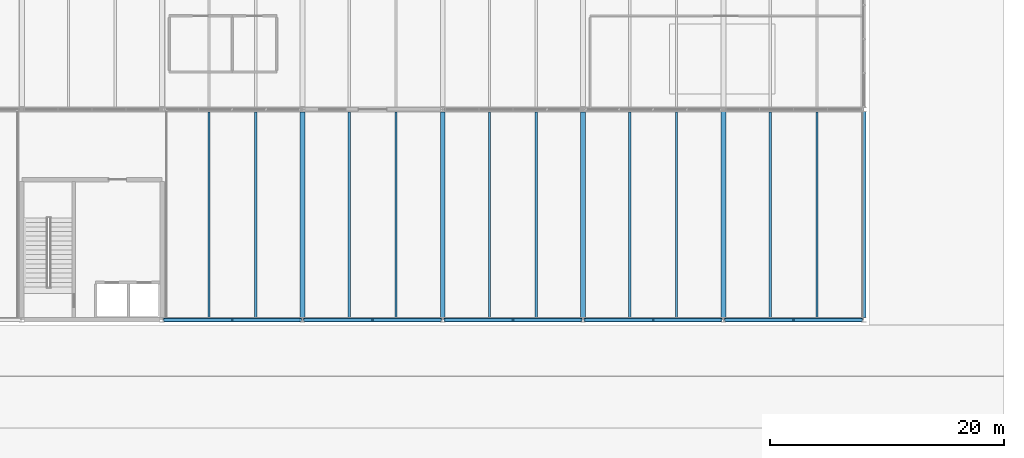
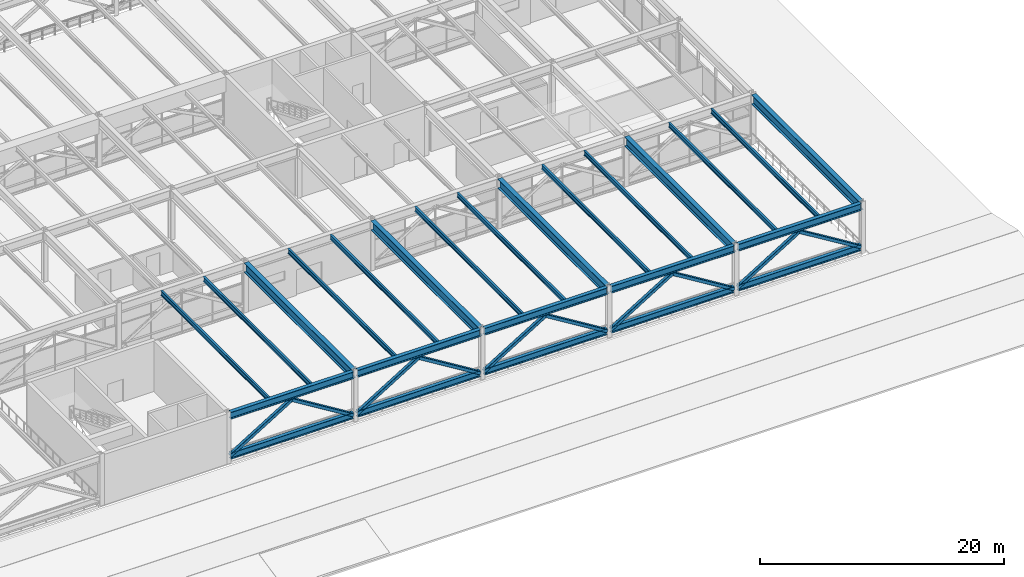
# One storey, part 19 of 42: 20 beams, 15 members.
"""IFC4 building model written with IfcOpenShell, lengths in metres."""

from ifc_helpers import new_model, si_unit, direction, frame, origin, origin_2d, place, context, subcontext, project, spatial, hollow_rectangle, i_section, extrude, material, material_profile, profile_set, type_object, element, save


model = new_model("IFC4")

# Units and contexts
model_context = context("Model", 3, precision=1e-05, world=origin(), true_north=direction((0.0, 1.0)))
body_context = subcontext(model_context, "Body", "Model", "MODEL_VIEW")
ifc_project = project(units=[si_unit("LENGTHUNIT", "METRE"), si_unit("AREAUNIT", "SQUARE_METRE"), si_unit("VOLUMEUNIT", "CUBIC_METRE"), si_unit("PLANEANGLEUNIT", "RADIAN"), si_unit("MASSUNIT", "GRAM", prefix="KILO")], contexts=[model_context])

# Site, building, storey
site_placement = place(None, origin())
site = spatial("IfcSite", under=ifc_project, at=site_placement, CompositionType="ELEMENT")
building_placement = place(site_placement, origin())
building = spatial("IfcBuilding", under=site, at=building_placement, Name="Girod Span Mobility Hub", CompositionType="ELEMENT")
storey_placement = place(building_placement, frame((0.0, 0.0, 32.39990234375)))
storey = spatial("IfcBuildingStorey", under=building, at=storey_placement, Name="L08", CompositionType="ELEMENT", Elevation=32.39990234375)

# Beams
ifc_material_1 = material(Name="Steel A992 Grade 50", Category="steel")
ifc_material_profile_1 = material_profile(ifc_material_1, i_section(OverallWidth=0.19189453125, OverallDepth=0.462890625, WebThickness=0.010498046875, FlangeThickness=0.017578125, FilletRadius=0.013916015625, at=origin_2d()), Name="W18X60")
ifc_profile_set_1 = profile_set([ifc_material_profile_1], Name="Steel A992 Grade 50")
beam_type_1 = type_object("IfcBeamType", Name="BM-STL-W18X60", PredefinedType="BEAM", material=ifc_profile_set_1)
for number, where, z_axis, x_axis, name in (
    (1, (88.0, 27.174560546875, 4.80859375), (0.0, 1.0, 0.0), (-1.0, 0.0, 0.0), "Composite Floorbeam 8/C-1 L08"),
    (2, (92.0, 27.174560546875, 4.80859375), (0.0, 1.0, 0.0), (-1.0, 0.0, 0.0), "Composite Floorbeam 8/C-2 L08"),
    (3, (100.0, 27.174560546875, 4.80859375), (0.0, 1.0, 0.0), (-1.0, 0.0, 0.0), "Composite Floorbeam 9/C-1 L08"),
    (4, (104.0, 27.174560546875, 4.80859375), (0.0, 1.0, 0.0), (-1.0, 0.0, 0.0), "Composite Floorbeam 9/C-2 L08"),
    (5, (112.0, 27.174560546875, 4.80859375), (0.0, 1.0, 0.0), (-1.0, 0.0, 0.0), "Composite Floorbeam 10/C-1 L08"),
    (6, (116.0, 27.174560546875, 4.80859375), (0.0, 1.0, 0.0), (-1.0, 0.0, 0.0), "Composite Floorbeam 10/C-2 L08"),
    (7, (124.0, 27.174560546875, 4.80859375), (0.0, 1.0, 0.0), (-1.0, 0.0, 0.0), "Composite Floorbeam 11/C-1 L08"),
    (8, (128.0, 27.174560546875, 4.80859375), (0.0, 1.0, 0.0), (-1.0, 0.0, 0.0), "Composite Floorbeam 11/C-2 L08"),
    (9, (136.0, 27.174560546875, 4.80859375), (0.0, 1.0, 0.0), (-1.0, 0.0, 0.0), "Composite Floorbeam 12/C-1 L08"),
    (10, (140.0, 27.174560546875, 4.80859375), (0.0, 1.0, 0.0), (-1.0, 0.0, 0.0), "Composite Floorbeam 12/C-2 L08"),
):
    element("IfcBeam", number, at=place(storey_placement, frame(where, z_axis=z_axis, x_axis=x_axis)), inside=storey, type_object=beam_type_1, Name=name, PredefinedType="BEAM", context=body_context, shape_type="SweptSolid", body=[
        extrude(i_section(OverallWidth=0.19189453125, OverallDepth=0.462890625, WebThickness=0.010498046875, FlangeThickness=0.017578125, FilletRadius=0.013916015625, at=origin_2d()), origin(), (0.0, 0.0, 1.0), 17.616943359375),
    ])
ifc_material_2 = material(Name="Steel A992 Grade 50", Category="steel")
ifc_material_profile_2 = material_profile(ifc_material_2, i_section(OverallWidth=0.35498046875, OverallDepth=0.695068359375, WebThickness=0.015380859375, FlangeThickness=0.02490234375, FilletRadius=0.01806640625, at=origin_2d()), Name="W27X146")
ifc_profile_set_2 = profile_set([ifc_material_profile_2], Name="Steel A992 Grade 50")
beam_type_2 = type_object("IfcBeamType", Name="BM-STL-W27X146", PredefinedType="BEAM", material=ifc_profile_set_2)
for number, where, z_axis, x_axis, name in (
    (11, (84.196533203125, 27.0, 4.692626953125), (1.0, 0.0, 0.0), (0.0, 1.0, 0.0), "Girder 8-9/C L08"),
    (12, (96.196533203125, 27.0, 4.692626953125), (1.0, 0.0, 0.0), (0.0, 1.0, 0.0), "Girder 9-10/C L08"),
    (13, (108.196533203125, 27.0, 4.692626953125), (1.0, 0.0, 0.0), (0.0, 1.0, 0.0), "Girder 10-11/C L08"),
    (14, (120.196533203125, 27.0, 4.692626953125), (1.0, 0.0, 0.0), (0.0, 1.0, 0.0), "Girder 11-12/C L08"),
    (15, (132.196533203125, 27.0, 4.692626953125), (1.0, 0.0, 0.0), (0.0, 1.0, 0.0), "Girder 12-13/C L08"),
):
    element("IfcBeam", number, at=place(storey_placement, frame(where, z_axis=z_axis, x_axis=x_axis)), inside=storey, type_object=beam_type_2, Name=name, PredefinedType="BEAM", context=body_context, shape_type="SweptSolid", body=[
        extrude(i_section(OverallWidth=0.35498046875, OverallDepth=0.695068359375, WebThickness=0.015380859375, FlangeThickness=0.02490234375, FilletRadius=0.01806640625, at=origin_2d()), origin(), (0.0, 0.0, 1.0), 11.60693359375),
    ])
ifc_material_3 = material(Name="Steel A992 Grade 50", Category="steel")
ifc_material_profile_3 = material_profile(ifc_material_3, i_section(OverallWidth=0.423095703125, OverallDepth=0.93994140625, WebThickness=0.02392578125, FlangeThickness=0.042724609375, FilletRadius=0.02392578125, at=origin_2d()), Name="W36X302")
ifc_profile_set_3 = profile_set([ifc_material_profile_3], Name="Steel A992 Grade 50")
beam_type_3 = type_object("IfcBeamType", Name="BM-STL-W36X302", PredefinedType="BEAM", material=ifc_profile_set_3)
for number, where, z_axis, x_axis, name in (
    (16, (96.0, 27.193603515625, 4.570068359375), (0.0, 1.0, 0.0), (-1.0, 0.0, 0.0), "Tie Girder 9/C-D L08"),
    (17, (108.0, 27.193603515625, 4.570068359375), (0.0, 1.0, 0.0), (-1.0, 0.0, 0.0), "Tie Girder 10/C-D L08"),
    (18, (120.0, 27.193603515625, 4.570068359375), (0.0, 1.0, 0.0), (-1.0, 0.0, 0.0), "Tie Girder 11/C-D L08"),
):
    element("IfcBeam", number, at=place(storey_placement, frame(where, z_axis=z_axis, x_axis=x_axis)), inside=storey, type_object=beam_type_3, Name=name, PredefinedType="BEAM", context=body_context, shape_type="SweptSolid", body=[
        extrude(i_section(OverallWidth=0.423095703125, OverallDepth=0.93994140625, WebThickness=0.02392578125, FlangeThickness=0.042724609375, FilletRadius=0.02392578125, at=origin_2d()), origin(), (0.0, 0.0, 1.0), 17.601318359375),
    ])
for number, where, z_axis, x_axis, name in (
    (19, (132.0, 27.193603515625, 4.570068359375), (0.0, 1.0, 0.0), (-1.0, 0.0, 0.0), "Tie Girder 12/C-D L08"),
    (20, (144.0, 27.193603515625, 4.570068359375), (0.0, 1.0, 0.0), (-1.0, 0.0, 0.0), "Tie Girder 13/C-D L08"),
):
    element("IfcBeam", number, at=place(storey_placement, frame(where, z_axis=z_axis, x_axis=x_axis)), inside=storey, type_object=beam_type_3, Name=name, PredefinedType="BEAM", context=body_context, shape_type="SweptSolid", body=[
        extrude(i_section(OverallWidth=0.423095703125, OverallDepth=0.93994140625, WebThickness=0.02392578125, FlangeThickness=0.042724609375, FilletRadius=0.02392578125, at=origin_2d()), origin(), (0.0, 0.0, 1.0), 17.61279296875),
    ])

# Members
ifc_material_4 = material(Name="Steel HSS A500 Grade C", Category="steel")
ifc_material_profile_4 = material_profile(ifc_material_4, hollow_rectangle(XDim=0.304931640625, YDim=0.304931640625, WallThickness=0.014892578125, InnerFilletRadius=0.014892578125, OuterFilletRadius=0.029541015625, at=origin_2d()), Name="HSS305X305X16")
ifc_profile_set_4 = profile_set([ifc_material_profile_4], Name="Steel HSS A500 Grade C")
member_type_1 = type_object("IfcMemberType", Name="MB-BR-HSS305", PredefinedType="BRACE", material=ifc_profile_set_4)
for number, where, z_axis, x_axis, name in (
    (21, (84.179443359375, 27.0, 0.650146484375), (0.852429572688, 0.0, 0.522842063731), (0.0, 1.0, 0.0), "Warren Transfer Truss Web Diagonal Y=27 8-L"),
    (22, (95.820556640625, 27.0, 0.650146484375), (-0.852429572688, 0.0, 0.522842063731), (0.0, -1.0, 0.0), "Warren Transfer Truss Web Diagonal Y=27 8-R"),
    (23, (96.179443359375, 27.0, 0.650146484375), (0.852429572688, 0.0, 0.522842063731), (0.0, 1.0, 0.0), "Warren Transfer Truss Web Diagonal Y=27 9-L"),
    (24, (107.820556640625, 27.0, 0.650146484375), (-0.852429572688, 0.0, 0.522842063731), (0.0, -1.0, 0.0), "Warren Transfer Truss Web Diagonal Y=27 9-R"),
    (25, (108.179443359375, 27.0, 0.650146484375), (0.852429572688, 0.0, 0.522842063731), (0.0, 1.0, 0.0), "Warren Transfer Truss Web Diagonal Y=27 10-L"),
    (26, (119.820556640625, 27.0, 0.650146484375), (-0.852429572688, 0.0, 0.522842063731), (0.0, -1.0, 0.0), "Warren Transfer Truss Web Diagonal Y=27 10-R"),
    (27, (120.179443359375, 27.0, 0.650146484375), (0.852429572688, 0.0, 0.522842063731), (0.0, 1.0, 0.0), "Warren Transfer Truss Web Diagonal Y=27 11-L"),
    (28, (131.820556640625, 27.0, 0.650146484375), (-0.852429572688, 0.0, 0.522842063731), (0.0, -1.0, 0.0), "Warren Transfer Truss Web Diagonal Y=27 11-R"),
    (29, (132.179443359375, 27.0, 0.650146484375), (0.852429572688, 0.0, 0.522842063731), (0.0, 1.0, 0.0), "Warren Transfer Truss Web Diagonal Y=27 12-L"),
    (30, (143.820556640625, 27.0, 0.650146484375), (-0.852429572688, 0.0, 0.522842063731), (0.0, -1.0, 0.0), "Warren Transfer Truss Web Diagonal Y=27 12-R"),
):
    element("IfcMember", number, at=place(storey_placement, frame(where, z_axis=z_axis, x_axis=x_axis)), inside=storey, type_object=member_type_1, Name=name, PredefinedType="BRACE", context=body_context, shape_type="SweptSolid", body=[
        extrude(hollow_rectangle(XDim=0.304931640625, YDim=0.304931640625, WallThickness=0.014892578125, InnerFilletRadius=0.014892578125, OuterFilletRadius=0.029541015625, at=origin_2d()), origin(), (0.0, 0.0, 1.0), 6.828125),
    ])
ifc_material_5 = material(Name="Steel A992 Grade 50", Category="steel")
ifc_material_profile_5 = material_profile(ifc_material_5, i_section(OverallWidth=0.323974609375, OverallDepth=0.611083984375, WebThickness=0.0126953125, FlangeThickness=0.01904296875, FilletRadius=0.014892578125, at=origin_2d()), Name="W24X104")
ifc_profile_set_5 = profile_set([ifc_material_profile_5], Name="Steel A992 Grade 50")
member_type_2 = type_object("IfcMemberType", Name="MB-CH-W24X104", PredefinedType="CHORD", material=ifc_profile_set_5)
for number, where, z_axis, x_axis, name in (
    (31, (84.196533203125, 27.0, 0.64453125), (1.0, 0.0, 0.0), (0.0, 1.0, 0.0), "Warren Transfer Truss Bottom Chord Y=27 Bay 8"),
    (32, (96.196533203125, 27.0, 0.64453125), (1.0, 0.0, 0.0), (0.0, 1.0, 0.0), "Warren Transfer Truss Bottom Chord Y=27 Bay 9"),
    (33, (108.196533203125, 27.0, 0.64453125), (1.0, 0.0, 0.0), (0.0, 1.0, 0.0), "Warren Transfer Truss Bottom Chord Y=27 Bay 10"),
    (34, (120.196533203125, 27.0, 0.64453125), (1.0, 0.0, 0.0), (0.0, 1.0, 0.0), "Warren Transfer Truss Bottom Chord Y=27 Bay 11"),
    (35, (132.196533203125, 27.0, 0.64453125), (1.0, 0.0, 0.0), (0.0, 1.0, 0.0), "Warren Transfer Truss Bottom Chord Y=27 Bay 12"),
):
    element("IfcMember", number, at=place(storey_placement, frame(where, z_axis=z_axis, x_axis=x_axis)), inside=storey, type_object=member_type_2, Name=name, PredefinedType="CHORD", context=body_context, shape_type="SweptSolid", body=[
        extrude(i_section(OverallWidth=0.323974609375, OverallDepth=0.611083984375, WebThickness=0.0126953125, FlangeThickness=0.01904296875, FilletRadius=0.014892578125, at=origin_2d()), origin(), (0.0, 0.0, 1.0), 11.60693359375),
    ])

save(model, "model.ifc")
